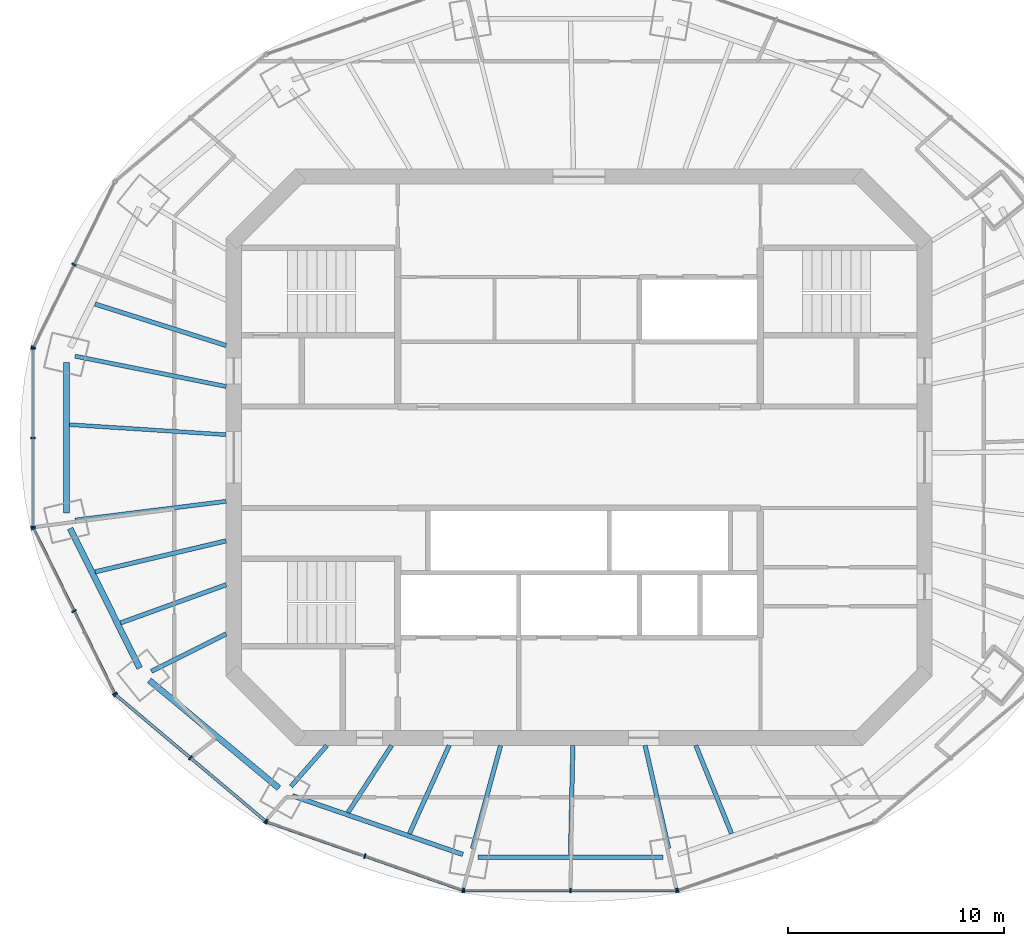
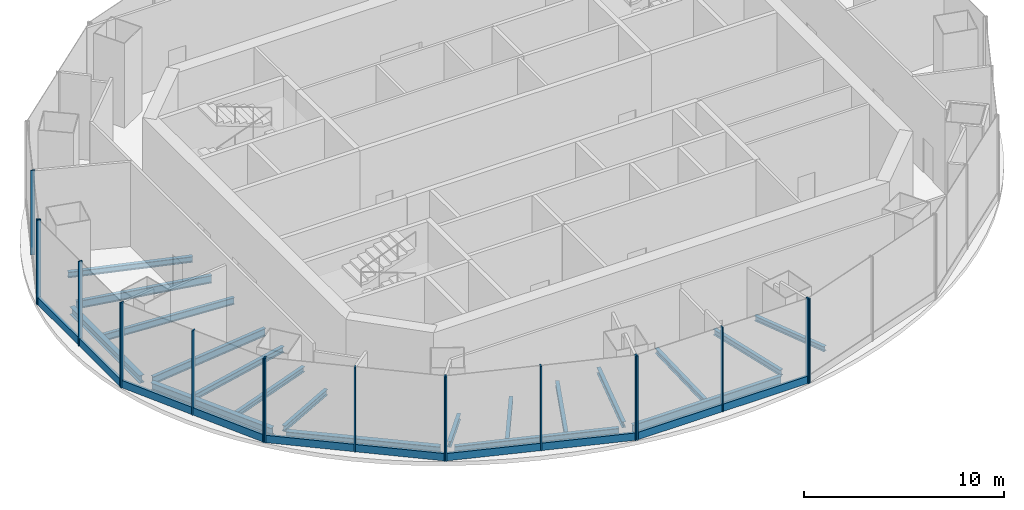
# One storey, part 2 of 11: 23 members, 19 beams, 7 elements without a shape of their own.
"""IFC4 building model written with IfcOpenShell, lengths in metres."""

import ifcopenshell
import ifcopenshell.guid

model = None  # the IFC model being written
_history = None  # IfcOwnerHistory: only IFC2X3 demands one
_inside = {}  # id of a spatial element -> (the spatial element, [elements in it])
_under = {}  # id of a project, library or spatial element -> (it, [spatial elements below it])
_declared = {}  # id of a project -> (the project, [libraries it declares])
_typed = {}  # id of a type object -> (the type object, [elements of that type])
_made_of = {}  # id of a material, layer set ... -> (it, [elements and type objects made of it])


def new_model(schema):
    """Start an empty IFC model of exactly this schema.

    Asked for "IFC4X3", IfcOpenShell would pick the latest addendum, in which some entities
    have other attributes; the version numbers below select the first issue.
    IFC2X3 requires an IfcOwnerHistory on every rooted entity: one is made here for all.
    """
    global model, _history
    if schema == "IFC4X3":
        model = ifcopenshell.file(schema_version=(4, 3, 0, 0))
    else:
        model = ifcopenshell.file(schema=schema)
    _inside.clear()
    _under.clear()
    _declared.clear()
    _typed.clear()
    _made_of.clear()
    _history = None
    if model.schema == "IFC2X3":
        org = make("IfcOrganization", Name="unknown")
        user = make(
            "IfcPersonAndOrganization",
            ThePerson=make("IfcPerson", FamilyName="unknown"),
            TheOrganization=org,
        )
        app = make(
            "IfcApplication",
            ApplicationDeveloper=org,
            Version="unknown",
            ApplicationFullName="unknown",
            ApplicationIdentifier="unknown",
        )
        _history = make(
            "IfcOwnerHistory",
            OwningUser=user,
            OwningApplication=app,
            ChangeAction="ADDED",
            CreationDate=0,
        )
    return model


def make(cls, **values):
    """One entity of the class cls with the attributes given. An attribute that is None is left unset."""
    return model.create_entity(
        cls, **{name: value for name, value in values.items() if value is not None}
    )


def rooted(cls, **values):
    """An entity with a GlobalId (a new one), such as an element, a storey or a relation."""
    return make(cls, GlobalId=ifcopenshell.guid.new(), OwnerHistory=_history, **values)


def si_unit(unit_type, name, prefix=None):
    """IfcSIUnit, for example si_unit("LENGTHUNIT", "METRE", prefix="MILLI")."""
    return make("IfcSIUnit", UnitType=unit_type, Prefix=prefix, Name=name)


def assignment(units):
    """IfcUnitAssignment: the units of a project."""
    return None if units is None else make("IfcUnitAssignment", Units=units)


def point(xyz):
    """IfcCartesianPoint."""
    return None if xyz is None else make("IfcCartesianPoint", Coordinates=xyz)


def direction(xyz):
    """IfcDirection."""
    return None if xyz is None else make("IfcDirection", DirectionRatios=xyz)


def frame(location, z_axis=None, x_axis=None):
    """IfcAxis2Placement3D, a coordinate frame: its origin and axes. An axis left out is left unset."""
    return make(
        "IfcAxis2Placement3D",
        Location=point(location),
        Axis=direction(z_axis),
        RefDirection=direction(x_axis),
    )


def frame_2d(location, x_axis=None):
    """IfcAxis2Placement2D, a coordinate frame in the plane: its origin and x axis."""
    return make(
        "IfcAxis2Placement2D", Location=point(location), RefDirection=direction(x_axis)
    )


def origin():
    """The frame at (0, 0, 0) with its axes left unset."""
    return frame((0.0, 0.0, 0.0))


def origin_2d():
    """The frame at (0, 0) in the plane with its x axis left unset."""
    return frame_2d((0.0, 0.0))


def place(relative_to, where):
    """IfcLocalPlacement: puts the frame where relative to a parent placement (None: the world)."""
    return make(
        "IfcLocalPlacement", PlacementRelTo=relative_to, RelativePlacement=where
    )


def context(
    kind, dimensions, precision=None, world=None, true_north=None, identifier=None
):
    """IfcGeometricRepresentationContext, for example the 3D "Model" context."""
    return make(
        "IfcGeometricRepresentationContext",
        ContextIdentifier=identifier,
        ContextType=kind,
        CoordinateSpaceDimension=dimensions,
        Precision=precision,
        WorldCoordinateSystem=world,
        TrueNorth=true_north,
    )


def subcontext(parent, identifier, kind, view, scale=None):
    """IfcGeometricRepresentationSubContext, for example "Body" below "Model"."""
    return make(
        "IfcGeometricRepresentationSubContext",
        ContextIdentifier=identifier,
        ContextType=kind,
        ParentContext=parent,
        TargetScale=scale,
        TargetView=view,
    )


def project(units=None, contexts=None):
    """IfcProject with its units and contexts."""
    return rooted(
        "IfcProject",
        Name="project",
        RepresentationContexts=contexts,
        UnitsInContext=assignment(units),
    )


def spatial(cls, under=None, at=None, **own):
    """A site, building, storey or space (cls), placed at a placement, below another one or the project."""
    s = rooted(cls, ObjectPlacement=at, **own)
    if under is not None:
        _under.setdefault(under.id(), (under, []))[1].append(s)
    return s


def profile(cls, at=None, kind="AREA", **sizes):
    """A parametric profile (cls). Its sizes go by their IFC names, for example OverallWidth=200.0."""
    return make(cls, ProfileType=kind, Position=at, **sizes)


def rectangle(**sizes):
    """IfcRectangleProfileDef."""
    return profile("IfcRectangleProfileDef", **sizes)


def i_section(**sizes):
    """IfcIShapeProfileDef."""
    return profile("IfcIShapeProfileDef", **sizes)


def extrude(swept, where, along, depth):
    """IfcExtrudedAreaSolid: the profile swept, set in the frame where, extruded along a direction by depth."""
    return make(
        "IfcExtrudedAreaSolid",
        SweptArea=swept,
        Position=where,
        ExtrudedDirection=direction(along),
        Depth=depth,
    )


def shape(context_of_items, identifier, shape_type, items):
    """IfcShapeRepresentation: the items that make up one representation, for example the "Body"."""
    return make(
        "IfcShapeRepresentation",
        ContextOfItems=context_of_items,
        RepresentationIdentifier=identifier,
        RepresentationType=shape_type,
        Items=items,
    )


def material(Name=None, Category=None):
    """IfcMaterial."""
    return make("IfcMaterial", Name=Name, Category=Category)


def material_profile(
    of_material, cross_section, Name=None, Category=None, Priority=None
):
    """IfcMaterialProfile: a cross section and its material."""
    return make(
        "IfcMaterialProfile",
        Name=Name,
        Material=of_material,
        Profile=cross_section,
        Priority=Priority,
        Category=Category,
    )


def profile_set(profiles, Name=None, composite=None):
    """IfcMaterialProfileSet."""
    return make(
        "IfcMaterialProfileSet",
        Name=Name,
        MaterialProfiles=profiles,
        CompositeProfile=composite,
    )


def made_of(thing, what):
    """Note that an element or type object is made of a material, layer set ...; save() writes the relation."""
    if what is not None:
        _made_of.setdefault(what.id(), (what, []))[1].append(thing)
    return thing


def type_object(cls, material=None, **own):
    """A type object (cls), such as IfcWallType, which elements share."""
    return made_of(rooted(cls, **own), material)


def element(
    cls,
    number,
    at=None,
    inside=None,
    cuts=None,
    type_object=None,
    material=None,
    context=None,
    identifier="Body",
    shape_type=None,
    held_by="IfcProductDefinitionShape",
    body=None,
    shapes=None,
    **own,
):
    """One element of the class cls, such as IfcWall. Its Tag is "e" and its number.

    at: its placement. inside: the storey or other place that contains it. cuts: it is an
    opening in that element (IfcRelVoidsElement). A single representation is given by context,
    identifier, shape_type and body (its items); several are given by shapes. held_by: the class
    of the entity that holds the representations. save() writes the other relations.
    """
    e = rooted(cls, Tag="e%d" % number, ObjectPlacement=at, **own)
    if body is not None:
        shapes = [shape(context, identifier, shape_type, body)]
    if shapes is not None:
        e.Representation = make(held_by, Representations=shapes)
    if inside is not None:
        _inside.setdefault(inside.id(), (inside, []))[1].append(e)
    if cuts is not None:
        rooted(
            "IfcRelVoidsElement", RelatingBuildingElement=cuts, RelatedOpeningElement=e
        )
    if type_object is not None:
        _typed.setdefault(type_object.id(), (type_object, []))[1].append(e)
    return made_of(e, material)


def aggregate(whole, parts):
    """IfcRelAggregates: a whole, such as a stair, and the parts it consists of."""
    return rooted("IfcRelAggregates", RelatingObject=whole, RelatedObjects=parts)


def save(model, path):
    """Write the relations noted so far, then the file.

    IfcRelAggregates (storeys below a building ...), IfcRelContainedInSpatialStructure (elements
    in a storey), IfcRelDefinesByType, IfcRelAssociatesMaterial and IfcRelDeclares: one each for
    every whole, place, type object, material and project.
    """
    for whole, parts in _under.values():
        aggregate(whole, parts)
    for where, things in _inside.values():
        rooted(
            "IfcRelContainedInSpatialStructure",
            RelatedElements=things,
            RelatingStructure=where,
        )
    for kind, things in _typed.values():
        rooted("IfcRelDefinesByType", RelatedObjects=things, RelatingType=kind)
    for what, things in _made_of.values():
        rooted("IfcRelAssociatesMaterial", RelatedObjects=things, RelatingMaterial=what)
    for by, libraries in _declared.values():
        rooted("IfcRelDeclares", RelatingContext=by, RelatedDefinitions=libraries)
    model.write(path)


model = new_model("IFC4")

# Units and contexts
model_context = context("Model", 3, precision=1e-05, world=origin(), true_north=direction((0.0, 1.0)))
body_context = subcontext(model_context, "Body", "Model", "MODEL_VIEW")
ifc_project = project(units=[si_unit("LENGTHUNIT", "METRE"), si_unit("AREAUNIT", "SQUARE_METRE"), si_unit("VOLUMEUNIT", "CUBIC_METRE"), si_unit("PLANEANGLEUNIT", "RADIAN"), si_unit("MASSUNIT", "GRAM", prefix="KILO")], contexts=[model_context])

# Site, building, storey
site_placement = place(None, origin())
site = spatial("IfcSite", under=ifc_project, at=site_placement, CompositionType="ELEMENT")
building_placement = place(site_placement, origin())
building = spatial("IfcBuilding", under=site, at=building_placement, Name="Marenthal Gate Tower", CompositionType="ELEMENT")
storey_placement = place(building_placement, frame((0.0, 0.0, 396.550048828125)))
storey = spatial("IfcBuildingStorey", under=building, at=storey_placement, Name="L90", CompositionType="ELEMENT", Elevation=396.550048828125)

# Curtain wall, members
ifc_material_1 = material(Name="Aluminium and glass", Category="aluminium")
curtain_wall_type = type_object("IfcCurtainWallType", Name="Curtain wall observation", PredefinedType="NOTDEFINED", material=ifc_material_1)
curtain_wall_1_placement = place(storey_placement, origin())
curtain_wall_1 = element("IfcCurtainWall", 1, at=curtain_wall_1_placement, inside=storey, type_object=curtain_wall_type, Name="Curtain wall L90 bay 7", PredefinedType="NOTDEFINED")
ifc_material_2 = material(Name="Aluminium", Category="aluminium")
ifc_material_profile_1 = material_profile(ifc_material_2, rectangle(XDim=0.219970703125, YDim=0.070068359375, at=origin_2d()), Name="70x220 aluminium mullion")
ifc_profile_set_1 = profile_set([ifc_material_profile_1], Name="Aluminium")
member_type_1 = type_object("IfcMemberType", Name="Mullion 70x220 observation", PredefinedType="MULLION", material=ifc_profile_set_1)
member_1_placement = place(storey_placement, frame((-23.3974609375, 8.924560546875, 0.0), z_axis=(0.0, 0.0, 1.0), x_axis=(0.897385793576, -0.441246798842, 0.0)))
member_1 = element("IfcMember", 2, at=member_1_placement, type_object=member_type_1, Name="Mullion L90 bay 7.2", PredefinedType="MULLION", context=body_context, shape_type="SweptSolid", body=[
    extrude(rectangle(XDim=0.219970703125, YDim=0.070068359375, at=origin_2d()), origin(), (0.0, 0.0, 1.0), 5.14990234375),
])
member_2_placement = place(storey_placement, frame((-25.279052734375, 5.097900390625, 0.0), z_axis=(0.0, 0.0, 1.0), x_axis=(0.897385793576, -0.441246798842, 0.0)))
member_2 = element("IfcMember", 3, at=member_2_placement, type_object=member_type_1, Name="Mullion L90 bay 7.3", PredefinedType="MULLION", context=body_context, shape_type="SweptSolid", body=[
    extrude(rectangle(XDim=0.219970703125, YDim=0.070068359375, at=origin_2d()), origin(), (0.0, 0.0, 1.0), 5.14990234375),
])
aggregate(curtain_wall_1, [member_1, member_2])

curtain_wall_2_placement = place(storey_placement, origin())
curtain_wall_2 = element("IfcCurtainWall", 4, at=curtain_wall_2_placement, inside=storey, type_object=curtain_wall_type, Name="Curtain wall L90 bay 8", PredefinedType="NOTDEFINED")
member_3_placement = place(storey_placement, frame((-25.292236328125, 5.041015625, 0.0), z_axis=(0.0, 0.0, 1.0), x_axis=(1.0, 0.0, 0.0)))
member_3 = element("IfcMember", 5, at=member_3_placement, type_object=member_type_1, Name="Mullion L90 bay 8.1", PredefinedType="MULLION", context=body_context, shape_type="SweptSolid", body=[
    extrude(rectangle(XDim=0.219970703125, YDim=0.070068359375, at=origin_2d()), origin(), (0.0, 0.0, 1.0), 5.14990234375),
])
member_4_placement = place(storey_placement, frame((-25.292236328125, 0.89990234375, 0.0), z_axis=(0.0, 0.0, 1.0), x_axis=(1.0, 0.0, 0.0)))
member_4 = element("IfcMember", 6, at=member_4_placement, type_object=member_type_1, Name="Mullion L90 bay 8.2", PredefinedType="MULLION", context=body_context, shape_type="SweptSolid", body=[
    extrude(rectangle(XDim=0.219970703125, YDim=0.070068359375, at=origin_2d()), origin(), (0.0, 0.0, 1.0), 5.14990234375),
])
member_5_placement = place(storey_placement, frame((-25.292236328125, -3.240966796875, 0.0), z_axis=(0.0, 0.0, 1.0), x_axis=(1.0, 0.0, 0.0)))
member_5 = element("IfcMember", 7, at=member_5_placement, type_object=member_type_1, Name="Mullion L90 bay 8.3", PredefinedType="MULLION", context=body_context, shape_type="SweptSolid", body=[
    extrude(rectangle(XDim=0.219970703125, YDim=0.070068359375, at=origin_2d()), origin(), (0.0, 0.0, 1.0), 5.14990234375),
])

curtain_wall_3_placement = place(storey_placement, origin())
curtain_wall_3 = element("IfcCurtainWall", 8, at=curtain_wall_3_placement, inside=storey, type_object=curtain_wall_type, Name="Curtain wall L90 bay 9", PredefinedType="NOTDEFINED")
member_6_placement = place(storey_placement, frame((-25.279052734375, -3.2978515625, 0.0), z_axis=(0.0, 0.0, 1.0), x_axis=(0.897385793576, 0.441246798842, 0.0)))
member_6 = element("IfcMember", 9, at=member_6_placement, type_object=member_type_1, Name="Mullion L90 bay 9.1", PredefinedType="MULLION", context=body_context, shape_type="SweptSolid", body=[
    extrude(rectangle(XDim=0.219970703125, YDim=0.070068359375, at=origin_2d()), origin(), (0.0, 0.0, 1.0), 5.14990234375),
])
member_7_placement = place(storey_placement, frame((-23.3974609375, -7.12451171875, 0.0), z_axis=(0.0, 0.0, 1.0), x_axis=(0.897385793576, 0.441246798842, 0.0)))
member_7 = element("IfcMember", 10, at=member_7_placement, type_object=member_type_1, Name="Mullion L90 bay 9.2", PredefinedType="MULLION", context=body_context, shape_type="SweptSolid", body=[
    extrude(rectangle(XDim=0.219970703125, YDim=0.070068359375, at=origin_2d()), origin(), (0.0, 0.0, 1.0), 5.14990234375),
])
member_8_placement = place(storey_placement, frame((-21.515869140625, -10.951171875, 0.0), z_axis=(0.0, 0.0, 1.0), x_axis=(0.897385793576, 0.441246798842, 0.0)))
member_8 = element("IfcMember", 11, at=member_8_placement, type_object=member_type_1, Name="Mullion L90 bay 9.3", PredefinedType="MULLION", context=body_context, shape_type="SweptSolid", body=[
    extrude(rectangle(XDim=0.219970703125, YDim=0.070068359375, at=origin_2d()), origin(), (0.0, 0.0, 1.0), 5.14990234375),
])

curtain_wall_4_placement = place(storey_placement, origin())
curtain_wall_4 = element("IfcCurtainWall", 12, at=curtain_wall_4_placement, inside=storey, type_object=curtain_wall_type, Name="Curtain wall L90 bay 10", PredefinedType="NOTDEFINED")
member_9_placement = place(storey_placement, frame((-21.479736328125, -10.997314453125, 0.0), z_axis=(0.0, 0.0, 1.0), x_axis=(0.644265226944, 0.764802142616, 0.0)))
member_9 = element("IfcMember", 13, at=member_9_placement, type_object=member_type_1, Name="Mullion L90 bay 10.1", PredefinedType="MULLION", context=body_context, shape_type="SweptSolid", body=[
    extrude(rectangle(XDim=0.219970703125, YDim=0.070068359375, at=origin_2d()), origin(), (0.0, 0.0, 1.0), 5.14990234375),
])
member_10_placement = place(storey_placement, frame((-18.00146484375, -13.927490234375, 0.0), z_axis=(0.0, 0.0, 1.0), x_axis=(0.644265226944, 0.764802142616, 0.0)))
member_10 = element("IfcMember", 14, at=member_10_placement, type_object=member_type_1, Name="Mullion L90 bay 10.2", PredefinedType="MULLION", context=body_context, shape_type="SweptSolid", body=[
    extrude(rectangle(XDim=0.219970703125, YDim=0.070068359375, at=origin_2d()), origin(), (0.0, 0.0, 1.0), 5.14990234375),
])
member_11_placement = place(storey_placement, frame((-14.5234375, -16.857421875, 0.0), z_axis=(0.0, 0.0, 1.0), x_axis=(0.644265226944, 0.764802142616, 0.0)))
member_11 = element("IfcMember", 15, at=member_11_placement, type_object=member_type_1, Name="Mullion L90 bay 10.3", PredefinedType="MULLION", context=body_context, shape_type="SweptSolid", body=[
    extrude(rectangle(XDim=0.219970703125, YDim=0.070068359375, at=origin_2d()), origin(), (0.0, 0.0, 1.0), 5.14990234375),
])

curtain_wall_5_placement = place(storey_placement, origin())
curtain_wall_5 = element("IfcCurtainWall", 16, at=curtain_wall_5_placement, inside=storey, type_object=curtain_wall_type, Name="Curtain wall L90 bay 11", PredefinedType="NOTDEFINED")
member_12_placement = place(storey_placement, frame((-14.47216796875, -16.88671875, 0.0), z_axis=(0.0, 0.0, 1.0), x_axis=(0.329453888639, 0.944171666203, 0.0)))
member_12 = element("IfcMember", 17, at=member_12_placement, type_object=member_type_1, Name="Mullion L90 bay 11.1", PredefinedType="MULLION", context=body_context, shape_type="SweptSolid", body=[
    extrude(rectangle(XDim=0.219970703125, YDim=0.070068359375, at=origin_2d()), origin(), (0.0, 0.0, 1.0), 5.14990234375),
])
member_13_placement = place(storey_placement, frame((-9.92578125, -18.472900390625, 0.0), z_axis=(0.0, 0.0, 1.0), x_axis=(0.329453888639, 0.944171666203, 0.0)))
member_13 = element("IfcMember", 18, at=member_13_placement, type_object=member_type_1, Name="Mullion L90 bay 11.2", PredefinedType="MULLION", context=body_context, shape_type="SweptSolid", body=[
    extrude(rectangle(XDim=0.219970703125, YDim=0.070068359375, at=origin_2d()), origin(), (0.0, 0.0, 1.0), 5.14990234375),
])
member_14_placement = place(storey_placement, frame((-5.379638671875, -20.059326171875, 0.0), z_axis=(0.0, 0.0, 1.0), x_axis=(0.329453888639, 0.944171666203, 0.0)))
member_14 = element("IfcMember", 19, at=member_14_placement, type_object=member_type_1, Name="Mullion L90 bay 11.3", PredefinedType="MULLION", context=body_context, shape_type="SweptSolid", body=[
    extrude(rectangle(XDim=0.219970703125, YDim=0.070068359375, at=origin_2d()), origin(), (0.0, 0.0, 1.0), 5.14990234375),
])

curtain_wall_6_placement = place(storey_placement, origin())
curtain_wall_6 = element("IfcCurtainWall", 20, at=curtain_wall_6_placement, inside=storey, type_object=curtain_wall_type, Name="Curtain wall L90 bay 12", PredefinedType="NOTDEFINED")
member_15_placement = place(storey_placement, frame((-5.3212890625, -20.069091796875, 0.0), z_axis=(0.0, 0.0, 1.0), x_axis=(0.0, 1.0, 0.0)))
member_15 = element("IfcMember", 21, at=member_15_placement, type_object=member_type_1, Name="Mullion L90 bay 12.1", PredefinedType="MULLION", context=body_context, shape_type="SweptSolid", body=[
    extrude(rectangle(XDim=0.219970703125, YDim=0.070068359375, at=origin_2d()), origin(), (0.0, 0.0, 1.0), 5.14990234375),
])
member_16_placement = place(storey_placement, frame((-0.39990234375, -20.069091796875, 0.0), z_axis=(0.0, 0.0, 1.0), x_axis=(0.0, 1.0, 0.0)))
member_16 = element("IfcMember", 22, at=member_16_placement, type_object=member_type_1, Name="Mullion L90 bay 12.2", PredefinedType="MULLION", context=body_context, shape_type="SweptSolid", body=[
    extrude(rectangle(XDim=0.219970703125, YDim=0.070068359375, at=origin_2d()), origin(), (0.0, 0.0, 1.0), 5.14990234375),
])
member_17_placement = place(storey_placement, frame((4.521484375, -20.069091796875, 0.0), z_axis=(0.0, 0.0, 1.0), x_axis=(0.0, 1.0, 0.0)))
member_17 = element("IfcMember", 23, at=member_17_placement, type_object=member_type_1, Name="Mullion L90 bay 12.3", PredefinedType="MULLION", context=body_context, shape_type="SweptSolid", body=[
    extrude(rectangle(XDim=0.219970703125, YDim=0.070068359375, at=origin_2d()), origin(), (0.0, 0.0, 1.0), 5.14990234375),
])

# Curtain wall, member
curtain_wall_7_placement = place(storey_placement, origin())
curtain_wall_7 = element("IfcCurtainWall", 24, at=curtain_wall_7_placement, inside=storey, type_object=curtain_wall_type, Name="Curtain wall L90 bay 13", PredefinedType="NOTDEFINED")
member_18_placement = place(storey_placement, frame((4.579833984375, -20.059326171875, 0.0), z_axis=(0.0, 0.0, 1.0), x_axis=(-0.329453888639, 0.944171666203, 0.0)))
member_18 = element("IfcMember", 25, at=member_18_placement, type_object=member_type_1, Name="Mullion L90 bay 13.1", PredefinedType="MULLION", context=body_context, shape_type="SweptSolid", body=[
    extrude(rectangle(XDim=0.219970703125, YDim=0.070068359375, at=origin_2d()), origin(), (0.0, 0.0, 1.0), 5.14990234375),
])
aggregate(curtain_wall_7, [member_18])

# Member
ifc_material_3 = material(Name="Aluminium", Category="aluminium")
ifc_material_profile_2 = material_profile(ifc_material_3, rectangle(XDim=0.139892578125, YDim=0.449951171875, at=origin_2d()), Name="140x450 aluminium transom")
ifc_profile_set_2 = profile_set([ifc_material_profile_2], Name="Aluminium")
member_type_2 = type_object("IfcMemberType", Name="Transom 140x450 observation", PredefinedType="USERDEFINED", material=ifc_profile_set_2)
member_19_placement = place(storey_placement, frame((-25.292236328125, 5.006103515625, 0.224853515625), z_axis=(0.0, -1.0, 0.0), x_axis=(1.0, 0.0, 0.0)))
member_19 = element("IfcMember", 26, at=member_19_placement, type_object=member_type_2, Name="Transom L90 bay 8", ObjectType="TRANSOM", PredefinedType="USERDEFINED", context=body_context, shape_type="SweptSolid", body=[
    extrude(rectangle(XDim=0.139892578125, YDim=0.449951171875, at=origin_2d()), origin(), (0.0, 0.0, 1.0), 8.212158203125),
])

aggregate(curtain_wall_2, [member_3, member_4, member_5, member_19])

member_20_placement = place(storey_placement, frame((-25.263671875, -3.329345703125, 0.224853515625), z_axis=(0.441246116327, -0.89738612917, 0.0), x_axis=(0.89738612917, 0.441246116327, 0.0)))
member_20 = element("IfcMember", 27, at=member_20_placement, type_object=member_type_2, Name="Transom L90 bay 9", ObjectType="TRANSOM", PredefinedType="USERDEFINED", context=body_context, shape_type="SweptSolid", body=[
    extrude(rectangle(XDim=0.139892578125, YDim=0.449951171875, at=origin_2d()), origin(), (0.0, 0.0, 1.0), 8.458251953125),
])

aggregate(curtain_wall_3, [member_6, member_7, member_8, member_20])

member_21_placement = place(storey_placement, frame((-21.452880859375, -11.02001953125, 0.224853515625), z_axis=(0.764800357968, -0.64426734548, 0.0), x_axis=(0.64426734548, 0.764800357968, 0.0)))
member_21 = element("IfcMember", 28, at=member_21_placement, type_object=member_type_2, Name="Transom L90 bay 10", ObjectType="TRANSOM", PredefinedType="USERDEFINED", context=body_context, shape_type="SweptSolid", body=[
    extrude(rectangle(XDim=0.139892578125, YDim=0.449951171875, at=origin_2d()), origin(), (0.0, 0.0, 1.0), 9.025634765625),
])

aggregate(curtain_wall_4, [member_9, member_10, member_11, member_21])

member_22_placement = place(storey_placement, frame((-14.43896484375, -16.898193359375, 0.224853515625), z_axis=(0.944167299887, -0.329466401662, 0.0), x_axis=(0.329466401662, 0.944167299887, 0.0)))
member_22 = element("IfcMember", 29, at=member_22_placement, type_object=member_type_2, Name="Transom L90 bay 11", ObjectType="TRANSOM", PredefinedType="USERDEFINED", context=body_context, shape_type="SweptSolid", body=[
    extrude(rectangle(XDim=0.139892578125, YDim=0.449951171875, at=origin_2d()), origin(), (0.0, 0.0, 1.0), 9.559814453125),
])

aggregate(curtain_wall_5, [member_12, member_13, member_14, member_22])

member_23_placement = place(storey_placement, frame((-5.286376953125, -20.069091796875, 0.224853515625), z_axis=(1.0, 0.0, 0.0), x_axis=(0.0, 1.0, 0.0)))
member_23 = element("IfcMember", 30, at=member_23_placement, type_object=member_type_2, Name="Transom L90 bay 12", ObjectType="TRANSOM", PredefinedType="USERDEFINED", context=body_context, shape_type="SweptSolid", body=[
    extrude(rectangle(XDim=0.139892578125, YDim=0.449951171875, at=origin_2d()), origin(), (0.0, 0.0, 1.0), 9.772705078125),
])

aggregate(curtain_wall_6, [member_15, member_16, member_17, member_23])

# Beams
ifc_material_4 = material(Name="Steel S355", Category="steel")
ifc_material_profile_3 = material_profile(ifc_material_4, i_section(OverallWidth=0.205078125, OverallDepth=0.31005859375, WebThickness=0.009521484375, FlangeThickness=0.016357421875, FilletRadius=0.0126953125, at=origin_2d()), Name="W310X74")
ifc_profile_set_3 = profile_set([ifc_material_profile_3], Name="Steel S355")
beam_type_1 = type_object("IfcBeamType", Name="W310X74 beam", PredefinedType="BEAM", material=ifc_profile_set_3)
beam_1_placement = place(storey_placement, frame((-21.241455078125, -7.67333984375, -0.405029296875), z_axis=(0.940521819809, 0.339733287245, 0.0), x_axis=(-0.339733287245, 0.940521819809, 0.0)))
element("IfcBeam", 31, at=beam_1_placement, inside=storey, type_object=beam_type_1, Name="BM-L90-29", PredefinedType="BEAM", context=body_context, shape_type="SweptSolid", body=[
    extrude(i_section(OverallWidth=0.205078125, OverallDepth=0.31005859375, WebThickness=0.009521484375, FlangeThickness=0.016357421875, FilletRadius=0.0126953125, at=origin_2d()), origin(), (0.0, 0.0, 1.0), 5.20068359375),
])
beam_2_placement = place(storey_placement, frame((-10.703125, -16.456787109375, -0.405029296875), z_axis=(0.5452083119, 0.838300600402, 0.0), x_axis=(-0.838300600402, 0.5452083119, 0.0)))
element("IfcBeam", 32, at=beam_2_placement, inside=storey, type_object=beam_type_1, Name="BM-L90-30", PredefinedType="BEAM", context=body_context, shape_type="SweptSolid", body=[
    extrude(i_section(OverallWidth=0.205078125, OverallDepth=0.31005859375, WebThickness=0.009521484375, FlangeThickness=0.016357421875, FilletRadius=0.0126953125, at=origin_2d()), origin(), (0.0, 0.0, 1.0), 3.7060546875),
])
beam_3_placement = place(storey_placement, frame((-7.859130859375, -17.43701171875, -0.405029296875), z_axis=(0.410908081991, 0.911676778334, 0.0), x_axis=(-0.911676778334, 0.410908081991, 0.0)))
element("IfcBeam", 33, at=beam_3_placement, inside=storey, type_object=beam_type_1, Name="BM-L90-31", PredefinedType="BEAM", context=body_context, shape_type="SweptSolid", body=[
    extrude(i_section(OverallWidth=0.205078125, OverallDepth=0.31005859375, WebThickness=0.009521484375, FlangeThickness=0.016357421875, FilletRadius=0.0126953125, at=origin_2d()), origin(), (0.0, 0.0, 1.0), 4.48291015625),
])
beam_4_placement = place(storey_placement, frame((-0.397705078125, -18.41357421875, -0.405029296875), z_axis=(0.021595733831, 0.999766784946, 0.0), x_axis=(-0.999766784946, 0.021595733831, 0.0)))
element("IfcBeam", 34, at=beam_4_placement, inside=storey, type_object=beam_type_1, Name="BM-L90-32", PredefinedType="BEAM", context=body_context, shape_type="SweptSolid", body=[
    extrude(i_section(OverallWidth=0.205078125, OverallDepth=0.31005859375, WebThickness=0.009521484375, FlangeThickness=0.016357421875, FilletRadius=0.0126953125, at=origin_2d()), origin(), (0.0, 0.0, 1.0), 5.064697265625),
])
beam_5_placement = place(storey_placement, frame((7.06298828125, -17.435546875, -0.405029296875), z_axis=(-0.375464682807, 0.926836701887, 0.0), x_axis=(-0.926836701887, -0.375464682807, 0.0)))
element("IfcBeam", 35, at=beam_5_placement, inside=storey, type_object=beam_type_1, Name="BM-L90-33", PredefinedType="BEAM", context=body_context, shape_type="SweptSolid", body=[
    extrude(i_section(OverallWidth=0.205078125, OverallDepth=0.31005859375, WebThickness=0.009521484375, FlangeThickness=0.016357421875, FilletRadius=0.0126953125, at=origin_2d()), origin(), (0.0, 0.0, 1.0), 4.407958984375),
])
ifc_material_5 = material(Name="Steel S355", Category="steel")
ifc_material_profile_4 = material_profile(ifc_material_5, i_section(OverallWidth=0.205078125, OverallDepth=0.35302734375, WebThickness=0.009521484375, FlangeThickness=0.016845703125, FilletRadius=0.014892578125, at=origin_2d()), Name="W360X79")
ifc_profile_set_4 = profile_set([ifc_material_profile_4], Name="Steel S355")
beam_type_2 = type_object("IfcBeamType", Name="W360X79 beam", PredefinedType="BEAM", material=ifc_profile_set_4)
beam_6_placement = place(storey_placement, frame((-19.812744140625, -9.912109375, -0.426513671875), z_axis=(0.894313662611, 0.447440580264, 0.0), x_axis=(-0.447440580264, 0.894313662611, 0.0)))
element("IfcBeam", 36, at=beam_6_placement, inside=storey, type_object=beam_type_2, Name="BM-L90-10", PredefinedType="BEAM", context=body_context, shape_type="SweptSolid", body=[
    extrude(i_section(OverallWidth=0.205078125, OverallDepth=0.35302734375, WebThickness=0.009521484375, FlangeThickness=0.016845703125, FilletRadius=0.014892578125, at=origin_2d()), origin(), (0.0, 0.0, 1.0), 3.871826171875),
])
beam_7_placement = place(storey_placement, frame((-13.345703125, -15.24658203125, -0.426513671875), z_axis=(0.658724007976, 0.752384663132, 0.0), x_axis=(-0.752384663132, 0.658724007976, 0.0)))
element("IfcBeam", 37, at=beam_7_placement, inside=storey, type_object=beam_type_2, Name="BM-L90-11", PredefinedType="BEAM", context=body_context, shape_type="SweptSolid", body=[
    extrude(i_section(OverallWidth=0.205078125, OverallDepth=0.35302734375, WebThickness=0.009521484375, FlangeThickness=0.016845703125, FilletRadius=0.014892578125, at=origin_2d()), origin(), (0.0, 0.0, 1.0), 2.520751953125),
])
beam_8_placement = place(storey_placement, frame((-4.936767578125, -18.12890625, -0.426513671875), z_axis=(0.262733655063, 0.964868398538, 0.0), x_axis=(-0.964868398538, 0.262733655063, 0.0)))
element("IfcBeam", 38, at=beam_8_placement, inside=storey, type_object=beam_type_2, Name="BM-L90-12", PredefinedType="BEAM", context=body_context, shape_type="SweptSolid", body=[
    extrude(i_section(OverallWidth=0.205078125, OverallDepth=0.35302734375, WebThickness=0.009521484375, FlangeThickness=0.016845703125, FilletRadius=0.014892578125, at=origin_2d()), origin(), (0.0, 0.0, 1.0), 4.952880859375),
])
beam_9_placement = place(storey_placement, frame((4.1533203125, -18.1279296875, -0.426513671875), z_axis=(-0.223338692396, 0.974740903255, 0.0), x_axis=(-0.974740903255, -0.223338692396, 0.0)))
element("IfcBeam", 39, at=beam_9_placement, inside=storey, type_object=beam_type_2, Name="BM-L90-13", PredefinedType="BEAM", context=body_context, shape_type="SweptSolid", body=[
    extrude(i_section(OverallWidth=0.205078125, OverallDepth=0.35302734375, WebThickness=0.009521484375, FlangeThickness=0.016845703125, FilletRadius=0.014892578125, at=origin_2d()), origin(), (0.0, 0.0, 1.0), 4.901611328125),
])
beam_10_placement = place(storey_placement, frame((-22.423583984375, 7.099365234375, -0.426513671875), z_axis=(0.953361157609, -0.301831912101, 0.0), x_axis=(0.301831912101, 0.953361157609, 0.0)))
element("IfcBeam", 40, at=beam_10_placement, inside=storey, type_object=beam_type_2, Name="BM-L90-26", PredefinedType="BEAM", context=body_context, shape_type="SweptSolid", body=[
    extrude(i_section(OverallWidth=0.205078125, OverallDepth=0.35302734375, WebThickness=0.009521484375, FlangeThickness=0.016845703125, FilletRadius=0.014892578125, at=origin_2d()), origin(), (0.0, 0.0, 1.0), 6.37060546875),
])
beam_11_placement = place(storey_placement, frame((-22.418701171875, -5.30908203125, -0.426513671875), z_axis=(0.973081904695, 0.230459555575, 0.0), x_axis=(-0.230459555575, 0.973081904695, 0.0)))
element("IfcBeam", 41, at=beam_11_placement, inside=storey, type_object=beam_type_2, Name="BM-L90-28", PredefinedType="BEAM", context=body_context, shape_type="SweptSolid", body=[
    extrude(i_section(OverallWidth=0.205078125, OverallDepth=0.35302734375, WebThickness=0.009521484375, FlangeThickness=0.016845703125, FilletRadius=0.014892578125, at=origin_2d()), origin(), (0.0, 0.0, 1.0), 6.236572265625),
])
ifc_material_6 = material(Name="Steel S355", Category="steel")
ifc_material_profile_5 = material_profile(ifc_material_6, i_section(OverallWidth=0.180908203125, OverallDepth=0.4169921875, WebThickness=0.010986328125, FlangeThickness=0.018310546875, FilletRadius=0.01025390625, at=origin_2d()), Name="W410X85")
ifc_profile_set_5 = profile_set([ifc_material_profile_5], Name="Steel S355")
beam_type_3 = type_object("IfcBeamType", Name="W410X85 beam", PredefinedType="BEAM", material=ifc_profile_set_5)
beam_12_placement = place(storey_placement, frame((-23.603271484375, 1.509033203125, -0.45849609375), z_axis=(0.99796335408, -0.063789841778, 0.0), x_axis=(0.063789841778, 0.99796335408, 0.0)))
element("IfcBeam", 42, at=beam_12_placement, inside=storey, type_object=beam_type_3, Name="BM-L90-27", PredefinedType="BEAM", context=body_context, shape_type="SweptSolid", body=[
    extrude(i_section(OverallWidth=0.180908203125, OverallDepth=0.4169921875, WebThickness=0.010986328125, FlangeThickness=0.018310546875, FilletRadius=0.01025390625, at=origin_2d()), origin(), (0.0, 0.0, 1.0), 7.26806640625),
])
ifc_material_7 = material(Name="Steel S355", Category="steel")
ifc_material_profile_6 = material_profile(ifc_material_7, i_section(OverallWidth=0.279052734375, OverallDepth=0.4619140625, WebThickness=0.0107421875, FlangeThickness=0.017333984375, FilletRadius=0.010009765625, at=origin_2d()), Name="W460X113")
ifc_profile_set_6 = profile_set([ifc_material_profile_6], Name="Steel S355")
beam_type_4 = type_object("IfcBeamType", Name="W460X113 beam", PredefinedType="BEAM", material=ifc_profile_set_6)
beam_13_placement = place(storey_placement, frame((-23.74267578125, 4.388916015625, -0.48095703125), z_axis=(0.0, -1.0, 0.0), x_axis=(1.0, 0.0, 0.0)))
element("IfcBeam", 43, at=beam_13_placement, inside=storey, type_object=beam_type_4, Name="BM-L90-45", PredefinedType="BEAM", context=body_context, shape_type="SweptSolid", body=[
    extrude(i_section(OverallWidth=0.279052734375, OverallDepth=0.4619140625, WebThickness=0.0107421875, FlangeThickness=0.017333984375, FilletRadius=0.010009765625, at=origin_2d()), origin(), (0.0, 0.0, 1.0), 6.977783203125),
])
beam_14_placement = place(storey_placement, frame((-23.57666015625, -3.296142578125, -0.48095703125), z_axis=(0.445686804831, -0.895188958824, 0.0), x_axis=(0.895188958824, 0.445686804831, 0.0)))
element("IfcBeam", 44, at=beam_14_placement, inside=storey, type_object=beam_type_4, Name="BM-L90-46", PredefinedType="BEAM", context=body_context, shape_type="SweptSolid", body=[
    extrude(i_section(OverallWidth=0.279052734375, OverallDepth=0.4619140625, WebThickness=0.0107421875, FlangeThickness=0.017333984375, FilletRadius=0.010009765625, at=origin_2d()), origin(), (0.0, 0.0, 1.0), 7.230712890625),
])
beam_15_placement = place(storey_placement, frame((-19.906494140625, -10.335205078125, -0.48095703125), z_axis=(0.76874123216, -0.63955994088, 0.0), x_axis=(0.63955994088, 0.76874123216, 0.0)))
element("IfcBeam", 45, at=beam_15_placement, inside=storey, type_object=beam_type_4, Name="BM-L90-47", PredefinedType="BEAM", context=body_context, shape_type="SweptSolid", body=[
    extrude(i_section(OverallWidth=0.279052734375, OverallDepth=0.4619140625, WebThickness=0.0107421875, FlangeThickness=0.017333984375, FilletRadius=0.010009765625, at=origin_2d()), origin(), (0.0, 0.0, 1.0), 7.80908203125),
])
ifc_material_8 = material(Name="Steel S355", Category="steel")
ifc_material_profile_7 = material_profile(ifc_material_8, i_section(OverallWidth=0.193115234375, OverallDepth=0.467041015625, WebThickness=0.011474609375, FlangeThickness=0.01904296875, FilletRadius=0.010009765625, at=origin_2d()), Name="W460X97")
ifc_profile_set_7 = profile_set([ifc_material_profile_7], Name="Steel S355")
beam_type_5 = type_object("IfcBeamType", Name="W460X97 beam", PredefinedType="BEAM", material=ifc_profile_set_7)
beam_16_placement = place(storey_placement, frame((-23.349853515625, 4.68408203125, -0.483642578125), z_axis=(0.980463441902, -0.196701395759, 0.0), x_axis=(0.196701395759, 0.980463441902, 0.0)))
element("IfcBeam", 46, at=beam_16_placement, inside=storey, type_object=beam_type_5, Name="BM-L90-08", PredefinedType="BEAM", context=body_context, shape_type="SweptSolid", body=[
    extrude(i_section(OverallWidth=0.193115234375, OverallDepth=0.467041015625, WebThickness=0.011474609375, FlangeThickness=0.01904296875, FilletRadius=0.010009765625, at=origin_2d()), origin(), (0.0, 0.0, 1.0), 7.13916015625),
])
beam_17_placement = place(storey_placement, frame((-23.34033203125, -2.91259765625, -0.483642578125), z_axis=(0.992303448561, 0.123829988185, 0.0), x_axis=(-0.123829988185, 0.992303448561, 0.0)))
element("IfcBeam", 47, at=beam_17_placement, inside=storey, type_object=beam_type_5, Name="BM-L90-09", PredefinedType="BEAM", context=body_context, shape_type="SweptSolid", body=[
    extrude(i_section(OverallWidth=0.193115234375, OverallDepth=0.467041015625, WebThickness=0.011474609375, FlangeThickness=0.01904296875, FilletRadius=0.010009765625, at=origin_2d()), origin(), (0.0, 0.0, 1.0), 7.04443359375),
])
ifc_material_9 = material(Name="Steel S355", Category="steel")
ifc_material_profile_8 = material_profile(ifc_material_9, i_section(OverallWidth=0.2119140625, OverallDepth=0.5439453125, WebThickness=0.01318359375, FlangeThickness=0.021240234375, FilletRadius=0.0126953125, at=origin_2d()), Name="W530X123")
ifc_profile_set_8 = profile_set([ifc_material_profile_8], Name="Steel S355")
beam_type_6 = type_object("IfcBeamType", Name="W530X123 beam", PredefinedType="BEAM", material=ifc_profile_set_8)
beam_18_placement = place(storey_placement, frame((-13.279052734375, -15.681396484375, -0.52197265625), z_axis=(0.94543573541, -0.325808640478, 0.0), x_axis=(0.325808640478, 0.94543573541, 0.0)))
element("IfcBeam", 48, at=beam_18_placement, inside=storey, type_object=beam_type_6, Name="BM-L90-48", PredefinedType="BEAM", context=body_context, shape_type="SweptSolid", body=[
    extrude(i_section(OverallWidth=0.2119140625, OverallDepth=0.5439453125, WebThickness=0.01318359375, FlangeThickness=0.021240234375, FilletRadius=0.0126953125, at=origin_2d()), origin(), (0.0, 0.0, 1.0), 8.34912109375),
])
beam_19_placement = place(storey_placement, frame((-4.681396484375, -18.51953125, -0.52197265625), z_axis=(1.0, 0.0, 0.0), x_axis=(0.0, 1.0, 0.0)))
element("IfcBeam", 49, at=beam_19_placement, inside=storey, type_object=beam_type_6, Name="BM-L90-49", PredefinedType="BEAM", context=body_context, shape_type="SweptSolid", body=[
    extrude(i_section(OverallWidth=0.2119140625, OverallDepth=0.5439453125, WebThickness=0.01318359375, FlangeThickness=0.021240234375, FilletRadius=0.0126953125, at=origin_2d()), origin(), (0.0, 0.0, 1.0), 8.56298828125),
])

save(model, "model.ifc")
